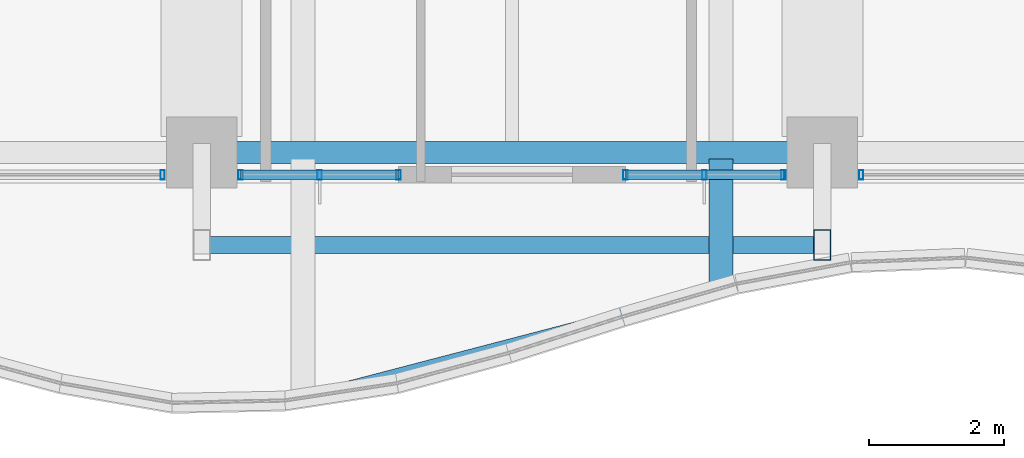
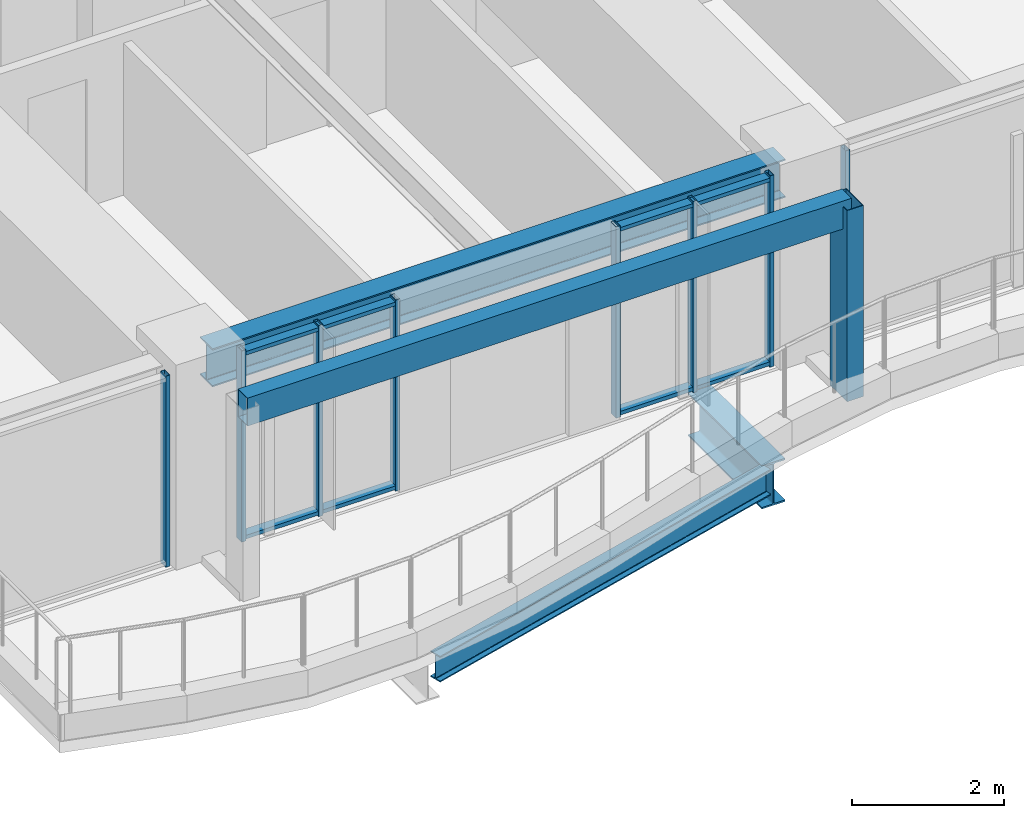
# One storey, part 5 of 39: 14 members, 3 beams, 4 elements without a shape of their own.
"""IFC4 building model written with IfcOpenShell, lengths in metres."""

from ifc_helpers import new_model, si_unit, direction, frame, origin, origin_2d, place, context, subcontext, project, spatial, hollow_rectangle, i_section, extrude, material, material_profile, profile_set, type_object, element, aggregate, save


model = new_model("IFC4")

# Units and contexts
model_context = context("Model", 3, precision=1e-05, world=origin(), true_north=direction((0.0, 1.0)))
body_context = subcontext(model_context, "Body", "Model", "MODEL_VIEW")
ifc_project = project(units=[si_unit("LENGTHUNIT", "METRE"), si_unit("AREAUNIT", "SQUARE_METRE"), si_unit("VOLUMEUNIT", "CUBIC_METRE"), si_unit("PLANEANGLEUNIT", "RADIAN"), si_unit("MASSUNIT", "GRAM", prefix="KILO")], contexts=[model_context])

# Site, building, storey
site_placement = place(None, origin())
site = spatial("IfcSite", under=ifc_project, at=site_placement, CompositionType="ELEMENT")
building_placement = place(site_placement, origin())
building = spatial("IfcBuilding", under=site, at=building_placement, Name="Kolvaren Belvedere", CompositionType="ELEMENT")
storey_placement = place(building_placement, frame((0.0, 0.0, 85.39990234375)))
storey = spatial("IfcBuildingStorey", under=building, at=storey_placement, Name="L24", CompositionType="ELEMENT", Elevation=85.39990234375)

# Beams
ifc_material_1 = material(Name="Structural steel ASTM A992 Grade 50", Category="steel")
ifc_material_profile_1 = material_profile(ifc_material_1, i_section(OverallWidth=0.35498046875, OverallDepth=0.696044921875, WebThickness=0.015380859375, FlangeThickness=0.02490234375, FilletRadius=0.02197265625, at=origin_2d()), Name="W27X146")
ifc_profile_set_1 = profile_set([ifc_material_profile_1], Name="Structural steel ASTM A992 Grade 50")
beam_type_1 = type_object("IfcBeamType", Name="BM-CANT-BAL", PredefinedType="BEAM", material=ifc_profile_set_1)
beam_1_placement = place(storey_placement, frame((3.10009765625, -20.044921875, -0.56787109375), z_axis=(0.0, -1.0, 0.0), x_axis=(1.0, 0.0, 0.0)))
element("IfcBeam", 1, at=beam_1_placement, inside=storey, type_object=beam_type_1, Name="L24 Planted Balcony Cantilever BAL-S-2", PredefinedType="BEAM", context=body_context, shape_type="SweptSolid", body=[
    extrude(i_section(OverallWidth=0.35498046875, OverallDepth=0.696044921875, WebThickness=0.015380859375, FlangeThickness=0.02490234375, FilletRadius=0.02197265625, at=origin_2d()), origin(), (0.0, 0.0, 1.0), 1.94189453125),
])
ifc_material_2 = material(Name="Structural steel ASTM A992 Grade 50", Category="steel")
ifc_material_profile_2 = material_profile(ifc_material_2, i_section(OverallWidth=0.180908203125, OverallDepth=0.4169921875, WebThickness=0.010986328125, FlangeThickness=0.018310546875, FilletRadius=0.013916015625, at=origin_2d()), Name="W16X57")
ifc_profile_set_2 = profile_set([ifc_material_profile_2], Name="Structural steel ASTM A992 Grade 50")
beam_type_2 = type_object("IfcBeamType", Name="BM-EDGE-W16X57", PredefinedType="BEAM", material=ifc_profile_set_2)
beam_2_placement = place(storey_placement, frame((-2.964599609375, -23.570556640625, -0.428466796875), z_axis=(0.9675537799, 0.25266515985, 0.0), x_axis=(-0.25266515985, 0.9675537799, 0.0)))
element("IfcBeam", 2, at=beam_2_placement, inside=storey, type_object=beam_type_2, Name="L24 Balcony Tip Header Beam BAL-S", PredefinedType="BEAM", context=body_context, shape_type="SweptSolid", body=[
    extrude(i_section(OverallWidth=0.180908203125, OverallDepth=0.4169921875, WebThickness=0.010986328125, FlangeThickness=0.018310546875, FilletRadius=0.013916015625, at=origin_2d()), origin(), (0.0, 0.0, 1.0), 6.1279296875),
])
ifc_material_3 = material(Name="Structural steel ASTM A992 Grade 50", Category="steel")
ifc_material_profile_3 = material_profile(ifc_material_3, i_section(OverallWidth=0.324951171875, OverallDepth=0.615966796875, WebThickness=0.013916015625, FlangeThickness=0.021484375, FilletRadius=0.02001953125, at=origin_2d()), Name="W24X117")
ifc_profile_set_3 = profile_set([ifc_material_profile_3], Name="Structural steel ASTM A992 Grade 50")
beam_type_3 = type_object("IfcBeamType", Name="BM-SPAN-W24X117", PredefinedType="SPANDREL", material=ifc_profile_set_3)
beam_3_placement = place(storey_placement, frame((-4.36376953125, -19.949951171875, 2.772216796875), z_axis=(1.0, 0.0, 0.0), x_axis=(0.0, 1.0, 0.0)))
element("IfcBeam", 3, at=beam_3_placement, inside=storey, type_object=beam_type_3, Name="L24 Perimeter Spandrel S2-S3", PredefinedType="SPANDREL", context=body_context, shape_type="SweptSolid", body=[
    extrude(i_section(OverallWidth=0.324951171875, OverallDepth=0.615966796875, WebThickness=0.013916015625, FlangeThickness=0.021484375, FilletRadius=0.02001953125, at=origin_2d()), origin(), (0.0, 0.0, 1.0), 8.7275390625),
])

# Curtain wall, member
ifc_material_4 = material(Name="Anodised pale-metal aluminium AA 6063-T6", Category="aluminium")
curtain_wall_type = type_object("IfcCurtainWallType", Name="CW-Z2-MID", PredefinedType="NOTDEFINED", material=ifc_material_4)
curtain_wall_1_placement = place(storey_placement, origin())
curtain_wall_1 = element("IfcCurtainWall", 4, at=curtain_wall_1_placement, inside=storey, type_object=curtain_wall_type, Name="L24 Unitised Curtain Wall FCW-L24-S1-B1", PredefinedType="NOTDEFINED")
ifc_material_5 = material(Name="Anodised pale-metal aluminium AA 6063-T6", Category="aluminium")
ifc_material_profile_4 = material_profile(ifc_material_5, hollow_rectangle(XDim=0.06494140625, YDim=0.139892578125, WallThickness=0.00390625, at=origin_2d()), Name="ALU-MUL-140X65")
ifc_profile_set_4 = profile_set([ifc_material_profile_4], Name="Anodised pale-metal aluminium AA 6063-T6")
member_type_1 = type_object("IfcMemberType", Name="CW-MUL-140", PredefinedType="MULLION", material=ifc_profile_set_4)
member_1_placement = place(storey_placement, frame((5.177490234375, -20.280029296875, 0.0), z_axis=(0.0, 0.0, 1.0), x_axis=(1.0, 0.0, 0.0)))
member_1 = element("IfcMember", 5, at=member_1_placement, type_object=member_type_1, Name="FCW-L24-S1-B1 Unitised Mullion 3", PredefinedType="MULLION", context=body_context, shape_type="SweptSolid", body=[
    extrude(hollow_rectangle(XDim=0.06494140625, YDim=0.139892578125, WallThickness=0.00390625, at=origin_2d()), origin(), (0.0, 0.0, 1.0), 3.080078125),
])
aggregate(curtain_wall_1, [member_1])

# Curtain wall, members
curtain_wall_2_placement = place(storey_placement, origin())
curtain_wall_2 = element("IfcCurtainWall", 6, at=curtain_wall_2_placement, inside=storey, type_object=curtain_wall_type, Name="L24 Unitised Curtain Wall FCW-L24-S1-B2", PredefinedType="NOTDEFINED")
member_2_placement = place(storey_placement, frame((4.0224609375, -20.280029296875, 0.0), z_axis=(0.0, 0.0, 1.0), x_axis=(1.0, 0.0, 0.0)))
member_2 = element("IfcMember", 7, at=member_2_placement, type_object=member_type_1, Name="FCW-L24-S1-B2 Unitised Mullion 1", PredefinedType="MULLION", context=body_context, shape_type="SweptSolid", body=[
    extrude(hollow_rectangle(XDim=0.06494140625, YDim=0.139892578125, WallThickness=0.00390625, at=origin_2d()), origin(), (0.0, 0.0, 1.0), 3.080078125),
])
member_3_placement = place(storey_placement, frame((2.851318359375, -20.280029296875, 0.0), z_axis=(0.0, 0.0, 1.0), x_axis=(1.0, 0.0, 0.0)))
member_3 = element("IfcMember", 8, at=member_3_placement, type_object=member_type_1, Name="FCW-L24-S1-B2 Unitised Mullion 2", PredefinedType="MULLION", context=body_context, shape_type="SweptSolid", body=[
    extrude(hollow_rectangle(XDim=0.06494140625, YDim=0.139892578125, WallThickness=0.00390625, at=origin_2d()), origin(), (0.0, 0.0, 1.0), 3.080078125),
])
member_4_placement = place(storey_placement, frame((1.679931640625, -20.280029296875, 0.0), z_axis=(0.0, 0.0, 1.0), x_axis=(1.0, 0.0, 0.0)))
member_4 = element("IfcMember", 9, at=member_4_placement, type_object=member_type_1, Name="FCW-L24-S1-B2 Unitised Mullion 3", PredefinedType="MULLION", context=body_context, shape_type="SweptSolid", body=[
    extrude(hollow_rectangle(XDim=0.06494140625, YDim=0.139892578125, WallThickness=0.00390625, at=origin_2d()), origin(), (0.0, 0.0, 1.0), 3.080078125),
])

curtain_wall_3_placement = place(storey_placement, origin())
curtain_wall_3 = element("IfcCurtainWall", 10, at=curtain_wall_3_placement, inside=storey, type_object=curtain_wall_type, Name="L24 Unitised Curtain Wall FCW-L24-S2-B1", PredefinedType="NOTDEFINED")
member_5_placement = place(storey_placement, frame((-1.679931640625, -20.280029296875, 0.0), z_axis=(0.0, 0.0, 1.0), x_axis=(1.0, 0.0, 0.0)))
member_5 = element("IfcMember", 11, at=member_5_placement, type_object=member_type_1, Name="FCW-L24-S2-B1 Unitised Mullion 1", PredefinedType="MULLION", context=body_context, shape_type="SweptSolid", body=[
    extrude(hollow_rectangle(XDim=0.06494140625, YDim=0.139892578125, WallThickness=0.00390625, at=origin_2d()), origin(), (0.0, 0.0, 1.0), 3.080078125),
])
member_6_placement = place(storey_placement, frame((-2.851318359375, -20.280029296875, 0.0), z_axis=(0.0, 0.0, 1.0), x_axis=(1.0, 0.0, 0.0)))
member_6 = element("IfcMember", 12, at=member_6_placement, type_object=member_type_1, Name="FCW-L24-S2-B1 Unitised Mullion 2", PredefinedType="MULLION", context=body_context, shape_type="SweptSolid", body=[
    extrude(hollow_rectangle(XDim=0.06494140625, YDim=0.139892578125, WallThickness=0.00390625, at=origin_2d()), origin(), (0.0, 0.0, 1.0), 3.080078125),
])
member_7_placement = place(storey_placement, frame((-4.0224609375, -20.280029296875, 0.0), z_axis=(0.0, 0.0, 1.0), x_axis=(1.0, 0.0, 0.0)))
member_7 = element("IfcMember", 13, at=member_7_placement, type_object=member_type_1, Name="FCW-L24-S2-B1 Unitised Mullion 3", PredefinedType="MULLION", context=body_context, shape_type="SweptSolid", body=[
    extrude(hollow_rectangle(XDim=0.06494140625, YDim=0.139892578125, WallThickness=0.00390625, at=origin_2d()), origin(), (0.0, 0.0, 1.0), 3.080078125),
])

# Curtain wall, member
curtain_wall_4_placement = place(storey_placement, origin())
curtain_wall_4 = element("IfcCurtainWall", 14, at=curtain_wall_4_placement, inside=storey, type_object=curtain_wall_type, Name="L24 Unitised Curtain Wall FCW-L24-S2-B2", PredefinedType="NOTDEFINED")
member_8_placement = place(storey_placement, frame((-5.177490234375, -20.280029296875, 0.0), z_axis=(0.0, 0.0, 1.0), x_axis=(1.0, 0.0, 0.0)))
member_8 = element("IfcMember", 15, at=member_8_placement, type_object=member_type_1, Name="FCW-L24-S2-B2 Unitised Mullion 1", PredefinedType="MULLION", context=body_context, shape_type="SweptSolid", body=[
    extrude(hollow_rectangle(XDim=0.06494140625, YDim=0.139892578125, WallThickness=0.00390625, at=origin_2d()), origin(), (0.0, 0.0, 1.0), 3.080078125),
])
aggregate(curtain_wall_4, [member_8])

# Member
ifc_material_6 = material(Name="Anodised pale-metal aluminium AA 6063-T6", Category="aluminium")
ifc_material_profile_5 = material_profile(ifc_material_6, hollow_rectangle(XDim=0.06005859375, YDim=0.139892578125, WallThickness=0.00390625, at=origin_2d()), Name="ALU-TRN-140X60")
ifc_profile_set_5 = profile_set([ifc_material_profile_5], Name="Anodised pale-metal aluminium AA 6063-T6")
member_type_2 = type_object("IfcMemberType", Name="CW-TRN-140", PredefinedType="USERDEFINED", material=ifc_profile_set_5)
member_9_placement = place(storey_placement, frame((4.0224609375, -20.280029296875, 0.06005859375), z_axis=(-1.0, 0.0, 0.0), x_axis=(0.0, 0.0, 1.0)))
member_9 = element("IfcMember", 16, at=member_9_placement, type_object=member_type_2, Name="FCW-L24-S1-B2 Sill Transom", ObjectType="TRANSOM", PredefinedType="USERDEFINED", context=body_context, shape_type="SweptSolid", body=[
    extrude(hollow_rectangle(XDim=0.06005859375, YDim=0.139892578125, WallThickness=0.00390625, at=origin_2d()), origin(), (0.0, 0.0, 1.0), 2.342529296875),
])

member_10_placement = place(storey_placement, frame((4.0224609375, -20.280029296875, 3.02001953125), z_axis=(-1.0, 0.0, 0.0), x_axis=(0.0, 0.0, 1.0)))
member_10 = element("IfcMember", 17, at=member_10_placement, type_object=member_type_2, Name="FCW-L24-S1-B2 Head Transom", ObjectType="TRANSOM", PredefinedType="USERDEFINED", context=body_context, shape_type="SweptSolid", body=[
    extrude(hollow_rectangle(XDim=0.06005859375, YDim=0.139892578125, WallThickness=0.00390625, at=origin_2d()), origin(), (0.0, 0.0, 1.0), 2.342529296875),
])

aggregate(curtain_wall_2, [member_2, member_3, member_4, member_9, member_10])

member_11_placement = place(storey_placement, frame((-1.679931640625, -20.280029296875, 0.06005859375), z_axis=(-1.0, 0.0, 0.0), x_axis=(0.0, 0.0, 1.0)))
member_11 = element("IfcMember", 18, at=member_11_placement, type_object=member_type_2, Name="FCW-L24-S2-B1 Sill Transom", ObjectType="TRANSOM", PredefinedType="USERDEFINED", context=body_context, shape_type="SweptSolid", body=[
    extrude(hollow_rectangle(XDim=0.06005859375, YDim=0.139892578125, WallThickness=0.00390625, at=origin_2d()), origin(), (0.0, 0.0, 1.0), 2.342529296875),
])

member_12_placement = place(storey_placement, frame((-1.679931640625, -20.280029296875, 3.02001953125), z_axis=(-1.0, 0.0, 0.0), x_axis=(0.0, 0.0, 1.0)))
member_12 = element("IfcMember", 19, at=member_12_placement, type_object=member_type_2, Name="FCW-L24-S2-B1 Head Transom", ObjectType="TRANSOM", PredefinedType="USERDEFINED", context=body_context, shape_type="SweptSolid", body=[
    extrude(hollow_rectangle(XDim=0.06005859375, YDim=0.139892578125, WallThickness=0.00390625, at=origin_2d()), origin(), (0.0, 0.0, 1.0), 2.342529296875),
])

aggregate(curtain_wall_3, [member_5, member_6, member_7, member_11, member_12])

# Members
ifc_material_7 = material(Name="Anodised pale-metal aluminium AA 6063-T6", Category="aluminium")
ifc_material_profile_6 = material_profile(ifc_material_7, hollow_rectangle(XDim=0.25, YDim=0.449951171875, WallThickness=0.008544921875, at=origin_2d()), Name="ALU-PF-450X250")
ifc_profile_set_6 = profile_set([ifc_material_profile_6], Name="Anodised pale-metal aluminium AA 6063-T6")
member_type_3 = type_object("IfcMemberType", Name="PF-FRAME-450", PredefinedType="USERDEFINED", material=ifc_profile_set_6)
member_13_placement = place(storey_placement, frame((4.60009765625, -21.320068359375, 0.0), z_axis=(0.0, 0.0, 1.0), x_axis=(1.0, 0.0, 0.0)))
element("IfcMember", 20, at=member_13_placement, inside=storey, type_object=member_type_3, Name="L24 Outboard Picture-Frame Vertical S1", ObjectType="PICTURE FRAME FIN", PredefinedType="USERDEFINED", context=body_context, shape_type="SweptSolid", body=[
    extrude(hollow_rectangle(XDim=0.25, YDim=0.449951171875, WallThickness=0.008544921875, at=origin_2d()), origin(), (0.0, 0.0, 1.0), 3.080078125),
])
member_14_placement = place(storey_placement, frame((4.60009765625, -21.320068359375, 2.9501953125), z_axis=(-1.0, 0.0, 0.0), x_axis=(0.0, -1.0, 0.0)))
element("IfcMember", 21, at=member_14_placement, inside=storey, type_object=member_type_3, Name="L24 Outboard Picture-Frame Head S", ObjectType="PICTURE FRAME FIN", PredefinedType="USERDEFINED", context=body_context, shape_type="SweptSolid", body=[
    extrude(hollow_rectangle(XDim=0.25, YDim=0.449951171875, WallThickness=0.008544921875, at=origin_2d()), origin(), (0.0, 0.0, 1.0), 9.2001953125),
])

save(model, "model.ifc")
